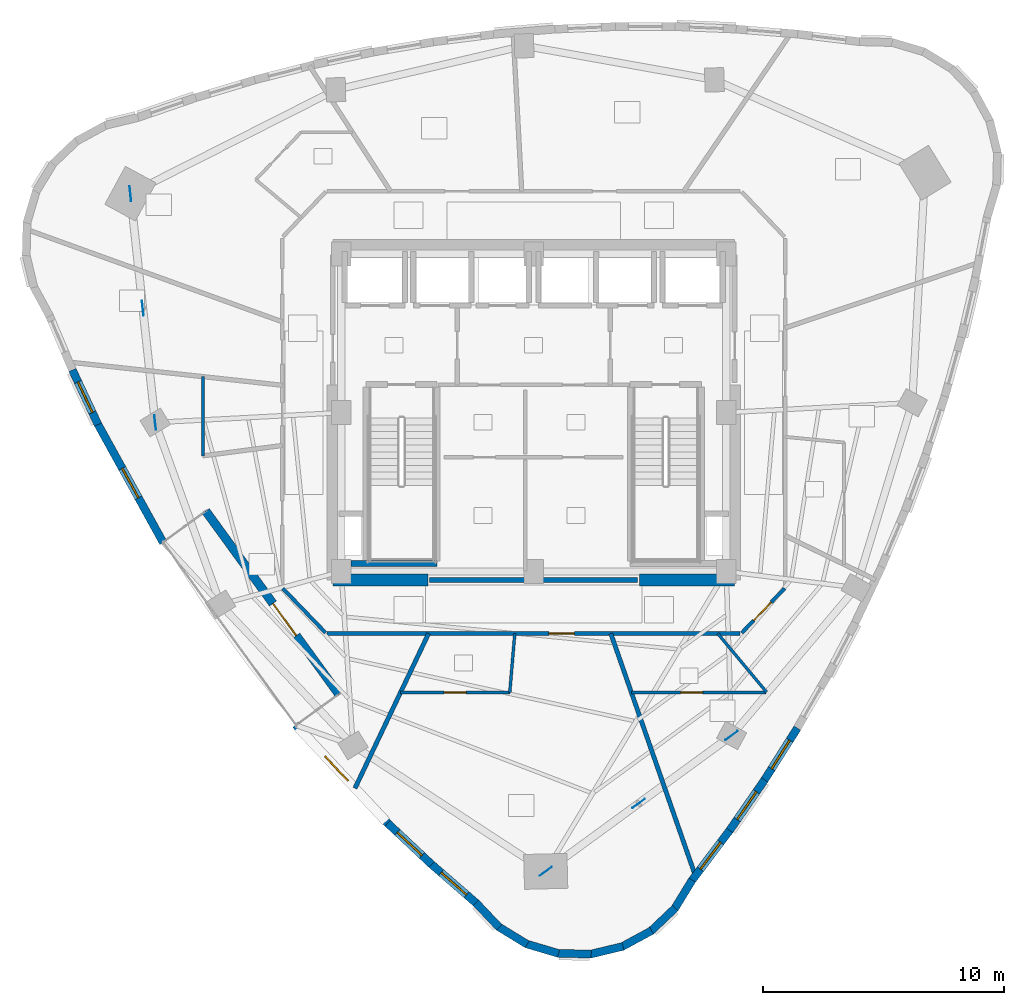
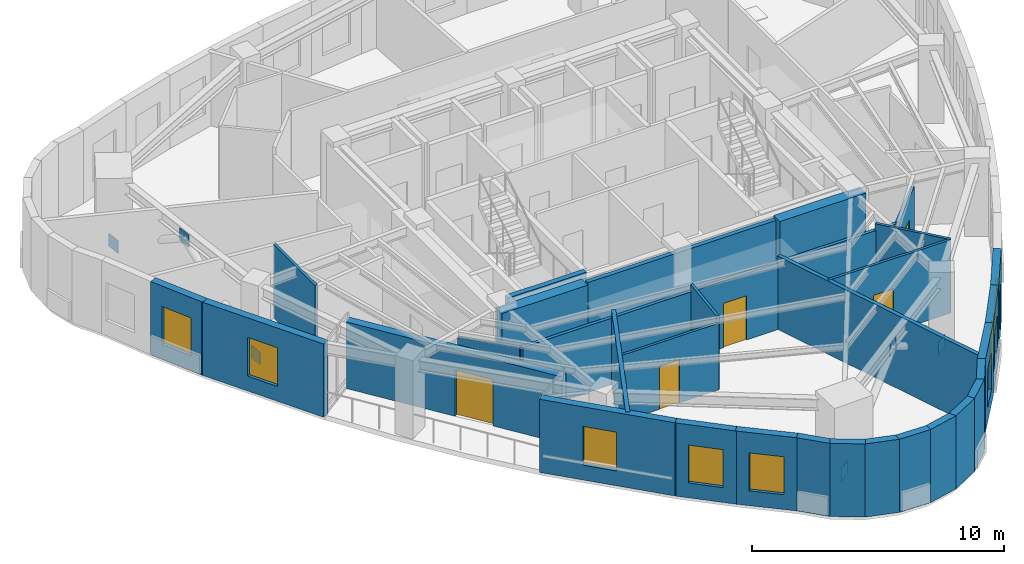
# One storey, part 6 of 13: 31 walls, 8 windows, 6 plates, 5 doors, 13 openings.
"""IFC4 building model written with IfcOpenShell, lengths in metres."""

from ifc_helpers import new_model, si_unit, direction, frame, frame_2d, origin, origin_2d, place, context, subcontext, project, spatial, rectangle, extrude, material, layer, layer_set, type_object, element, fill, save


model = new_model("IFC4")

# Units and contexts
model_context = context("Model", 3, precision=1e-05, world=origin(), true_north=direction((0.0, 1.0)))
body_context = subcontext(model_context, "Body", "Model", "MODEL_VIEW")
ifc_project = project(units=[si_unit("LENGTHUNIT", "METRE"), si_unit("AREAUNIT", "SQUARE_METRE"), si_unit("VOLUMEUNIT", "CUBIC_METRE"), si_unit("PLANEANGLEUNIT", "RADIAN"), si_unit("MASSUNIT", "GRAM", prefix="KILO")], contexts=[model_context])

# Site, building, storey
site_placement = place(None, origin())
site = spatial("IfcSite", under=ifc_project, at=site_placement, CompositionType="ELEMENT")
building_placement = place(site_placement, origin())
building = spatial("IfcBuilding", under=site, at=building_placement, Name="Ndelora Gate Hotel", CompositionType="ELEMENT")
storey_placement = place(building_placement, frame((0.0, 0.0, 235.949951171875)))
storey = spatial("IfcBuildingStorey", under=building, at=storey_placement, Name="L59", CompositionType="ELEMENT", Elevation=235.949951171875)

# Plates
ifc_material_1 = material(Name="Steel S355", Category="steel")
ifc_layer_1 = layer(ifc_material_1, 0.02001953125)
ifc_layer_set_1 = layer_set([ifc_layer_1], Name="Steel S355")
plate_type = type_object("IfcPlateType", Name="PL-NODE-VN1", PredefinedType="USERDEFINED", material=ifc_layer_set_1)
for number, where, z_axis, x_axis, name in (
    (1, (-16.759521484375, 9.099609375, -0.2900390625), (0.0, 0.0, 1.0), (-0.107652324982, 0.994188602291, 0.0), "Node gusset cap plate VN1"),
    (2, (-15.72998046875, -0.411865234375, -0.2900390625), (0.0, 0.0, 1.0), (-0.107652324982, 0.994188602291, 0.0), "Node gusset cap plate VN1"),
    (3, (-16.24462890625, 4.343994140625, 2.68994140625), (0.0, 0.0, 1.0), (-0.107652324982, 0.994188602291, 0.0), "Node gusset cap plate VN1"),
    (4, (0.499267578125, -19.064208984375, -0.2900390625), (0.0, 0.0, 1.0), (0.807475405485, 0.589901237104, 0.0), "Node gusset cap plate VN1"),
    (5, (8.223876953125, -13.419921875, -0.2900390625), (0.0, 0.0, 1.0), (0.807475405485, 0.589901237104, 0.0), "Node gusset cap plate VN1"),
    (6, (4.361572265625, -16.241943359375, 2.68994140625), (0.0, 0.0, 1.0), (0.807475405485, 0.589901237104, 0.0), "Node gusset cap plate VN1"),
):
    element("IfcPlate", number, at=place(storey_placement, frame(where, z_axis=z_axis, x_axis=x_axis)), inside=storey, type_object=plate_type, Name=name, ObjectType="GUSSET_PLATE", PredefinedType="USERDEFINED", context=body_context, shape_type="SweptSolid", body=[
        extrude(rectangle(XDim=0.6201171875, YDim=0.02001953125, at=origin_2d()), origin(), (0.0, 0.0, 1.0), 0.6201171875),
    ])

# Walls
ifc_material_2 = material(Name="Acoustic Double-Stud Gypsum Assembly", Category="gypsum")
ifc_layer_2 = layer(ifc_material_2, 0.179931640625)
ifc_layer_set_2 = layer_set([ifc_layer_2], Name="Acoustic Double-Stud Gypsum Assembly")
wall_type_1 = type_object("IfcWallType", Name="WL-ACOUST-180", PredefinedType="PARTITIONING", material=ifc_layer_set_2)
wall_1_placement = place(storey_placement, frame((-4.368408203125, -9.179931640625, 0.0), z_axis=(0.0, 0.0, 1.0), x_axis=(-0.429699353622, -0.902972018114, 0.0)))
element("IfcWall", 7, at=wall_1_placement, inside=storey, type_object=wall_type_1, Name="L59 Interior Wall IW-3", PredefinedType="PARTITIONING", context=body_context, shape_type="SweptSolid", body=[
    extrude(rectangle(XDim=7.121337890625, YDim=0.179931640625, at=frame_2d((3.560546875, 0.0))), origin(), (0.0, 0.0, 1.0), 3.550048828125),
])
wall_2_placement = place(storey_placement, frame((3.2041015625, -9.179931640625, 0.0), z_axis=(0.0, 0.0, 1.0), x_axis=(0.329550080766, -0.944138095973, 0.0)))
element("IfcWall", 8, at=wall_2_placement, inside=storey, type_object=wall_type_1, Name="L59 Interior Wall IW-3", PredefinedType="PARTITIONING", context=body_context, shape_type="SweptSolid", body=[
    extrude(rectangle(XDim=10.66796875, YDim=0.179931640625, at=frame_2d((5.333984375, 0.0))), origin(), (0.0, 0.0, 1.0), 3.550048828125),
])

# Wall, opening, window
ifc_material_3 = material(Name="Clay Brick Masonry", Category="masonry")
ifc_layer_3 = layer(ifc_material_3, 0.330078125)
ifc_layer_set_3 = layer_set([ifc_layer_3], Name="Clay Brick Masonry")
wall_type_2 = type_object("IfcWallType", Name="WL-BRICK-330", PredefinedType="SOLIDWALL", material=ifc_layer_set_3)
wall_3_placement = place(storey_placement, frame((-18.105224609375, -0.498291015625, 0.0), z_axis=(0.0, 0.0, 1.0), x_axis=(-0.425281427791, 0.905061162119, 0.0)))
wall_3 = element("IfcWall", 9, at=wall_3_placement, inside=storey, type_object=wall_type_2, Name="L59 Tower Brick Pier-and-Spandrel Wall TWR-10", PredefinedType="SOLIDWALL", context=body_context, shape_type="SweptSolid", body=[
    extrude(rectangle(XDim=2.5087890625, YDim=0.330078125, at=frame_2d((1.25439453125, 0.0))), origin(), (0.0, 0.0, 1.0), 3.550048828125),
])
opening_1_placement = place(wall_3_placement, frame((0.554443359375, 0.0, 0.719970703125)))
opening_1 = element("IfcOpeningElement", 10, at=opening_1_placement, cuts=wall_3, Name="Opening W02", PredefinedType="OPENING", context=body_context, shape_type="SweptSolid", body=[
    extrude(rectangle(XDim=1.39990234375, YDim=1.840087890625, at=frame_2d((0.699951171875, 0.919921875))), frame((0.0, 0.175048828125, 0.0), z_axis=(0.0, -1.0, 0.0), x_axis=(1.0, 0.0, 0.0)), (0.0, 0.0, 1.0), 0.35009765625),
])
ifc_material_4 = material(Name="Insulated Low-E Double Glazing in Bronze Aluminium Frame", Category="aluminium")
window_type = type_object("IfcWindowType", Name="WN-DEEP-1400", PartitioningType="SINGLE_PANEL", PredefinedType="WINDOW", material=ifc_material_4)
window_1_placement = place(opening_1_placement, origin())
window_1 = element("IfcWindow", 11, at=window_1_placement, inside=storey, type_object=window_type, Name="L59 Deep-Set Brick-Pier Window W02", OverallHeight=1.840087890625, OverallWidth=1.39990234375, PartitioningType="SINGLE_PANEL", PredefinedType="WINDOW", context=body_context, shape_type="SweptSolid", body=[
    extrude(rectangle(XDim=1.39990234375, YDim=1.840087890625, at=frame_2d((0.699951171875, 0.919921875))), frame((0.0, 0.030029296875, 0.0), z_axis=(0.0, -1.0, 0.0), x_axis=(1.0, 0.0, 0.0)), (0.0, 0.0, 1.0), 0.06005859375),
])
fill(opening_1, window_1)

wall_4_placement = place(storey_placement, frame((-15.395263671875, -5.406494140625, 0.0), z_axis=(0.0, 0.0, 1.0), x_axis=(-0.483083047652, 0.87557453656, 0.0)))
wall_4 = element("IfcWall", 12, at=wall_4_placement, inside=storey, type_object=wall_type_2, Name="L59 Tower Brick Pier-and-Spandrel Wall TWR-11", PredefinedType="SOLIDWALL", context=body_context, shape_type="SweptSolid", body=[
    extrude(rectangle(XDim=5.65673828125, YDim=0.330078125, at=frame_2d((2.828369140625, 0.0))), origin(), (0.0, 0.0, 1.0), 3.550048828125),
])
opening_2_placement = place(wall_4_placement, frame((2.12841796875, 0.0, 0.719970703125)))
opening_2 = element("IfcOpeningElement", 13, at=opening_2_placement, cuts=wall_4, Name="Opening W02", PredefinedType="OPENING", context=body_context, shape_type="SweptSolid", body=[
    extrude(rectangle(XDim=1.39990234375, YDim=1.8798828125, at=frame_2d((0.699951171875, 0.93994140625))), frame((0.0, 0.175048828125, 0.0), z_axis=(0.0, -1.0, 0.0), x_axis=(1.0, 0.0, 0.0)), (0.0, 0.0, 1.0), 0.35009765625),
])
window_2_placement = place(opening_2_placement, origin())
window_2 = element("IfcWindow", 14, at=window_2_placement, inside=storey, type_object=window_type, Name="L59 Deep-Set Brick-Pier Window W02", OverallHeight=1.8798828125, OverallWidth=1.39990234375, PartitioningType="SINGLE_PANEL", PredefinedType="WINDOW", context=body_context, shape_type="SweptSolid", body=[
    extrude(rectangle(XDim=1.39990234375, YDim=1.8798828125, at=frame_2d((0.699951171875, 0.93994140625))), frame((0.0, 0.030029296875, 0.0), z_axis=(0.0, -1.0, 0.0), x_axis=(1.0, 0.0, 0.0)), (0.0, 0.0, 1.0), 0.06005859375),
])
fill(opening_2, window_2)

wall_5_placement = place(storey_placement, frame((-6.033203125, -17.100341796875, 0.0), z_axis=(0.0, 0.0, 1.0), x_axis=(-0.683483012733, 0.72996641793, 0.0)))
wall_5 = element("IfcWall", 15, at=wall_5_placement, inside=storey, type_object=wall_type_2, Name="L59 Tower Brick Pier-and-Spandrel Wall TWR-16", PredefinedType="SOLIDWALL", context=body_context, shape_type="SweptSolid", body=[
    extrude(rectangle(XDim=5.65673828125, YDim=0.330078125, at=frame_2d((2.828369140625, 0.0))), origin(), (0.0, 0.0, 1.0), 3.550048828125),
])
opening_3_placement = place(wall_5_placement, frame((2.4599609375, 0.0, 0.719970703125)))
opening_3 = element("IfcOpeningElement", 16, at=opening_3_placement, cuts=wall_5, Name="Opening W02", PredefinedType="OPENING", context=body_context, shape_type="SweptSolid", body=[
    extrude(rectangle(XDim=1.39990234375, YDim=1.8798828125, at=frame_2d((0.699951171875, 0.93994140625))), frame((0.0, 0.175048828125, 0.0), z_axis=(0.0, -1.0, 0.0), x_axis=(1.0, 0.0, 0.0)), (0.0, 0.0, 1.0), 0.35009765625),
])
window_3_placement = place(opening_3_placement, origin())
window_3 = element("IfcWindow", 17, at=window_3_placement, inside=storey, type_object=window_type, Name="L59 Deep-Set Brick-Pier Window W02", OverallHeight=1.8798828125, OverallWidth=1.39990234375, PartitioningType="SINGLE_PANEL", PredefinedType="WINDOW", context=body_context, shape_type="SweptSolid", body=[
    extrude(rectangle(XDim=1.39990234375, YDim=1.8798828125, at=frame_2d((0.699951171875, 0.93994140625))), frame((0.0, 0.030029296875, 0.0), z_axis=(0.0, -1.0, 0.0), x_axis=(1.0, 0.0, 0.0)), (0.0, 0.0, 1.0), 0.06005859375),
])
fill(opening_3, window_3)

wall_6_placement = place(storey_placement, frame((-4.239013671875, -18.781494140625, 0.0), z_axis=(0.0, 0.0, 1.0), x_axis=(-0.729324721521, 0.684167706471, 0.0)))
wall_6 = element("IfcWall", 18, at=wall_6_placement, inside=storey, type_object=wall_type_2, Name="L59 Tower Brick Pier-and-Spandrel Wall TWR-17", PredefinedType="SOLIDWALL", context=body_context, shape_type="SweptSolid", body=[
    extrude(rectangle(XDim=2.508544921875, YDim=0.330078125, at=frame_2d((1.25439453125, 0.0))), origin(), (0.0, 0.0, 1.0), 3.550048828125),
])
opening_4_placement = place(wall_6_placement, frame((0.554443359375, 0.0, 0.719970703125)))
opening_4 = element("IfcOpeningElement", 19, at=opening_4_placement, cuts=wall_6, Name="Opening W02", PredefinedType="OPENING", context=body_context, shape_type="SweptSolid", body=[
    extrude(rectangle(XDim=1.39990234375, YDim=1.840087890625, at=frame_2d((0.699951171875, 0.919921875))), frame((0.0, 0.175048828125, 0.0), z_axis=(0.0, -1.0, 0.0), x_axis=(1.0, 0.0, 0.0)), (0.0, 0.0, 1.0), 0.35009765625),
])
window_4_placement = place(opening_4_placement, origin())
window_4 = element("IfcWindow", 20, at=window_4_placement, inside=storey, type_object=window_type, Name="L59 Deep-Set Brick-Pier Window W02", OverallHeight=1.840087890625, OverallWidth=1.39990234375, PartitioningType="SINGLE_PANEL", PredefinedType="WINDOW", context=body_context, shape_type="SweptSolid", body=[
    extrude(rectangle(XDim=1.39990234375, YDim=1.840087890625, at=frame_2d((0.699951171875, 0.919921875))), frame((0.0, 0.030029296875, 0.0), z_axis=(0.0, -1.0, 0.0), x_axis=(1.0, 0.0, 0.0)), (0.0, 0.0, 1.0), 0.06005859375),
])
fill(opening_4, window_4)

wall_7_placement = place(storey_placement, frame((-2.3662109375, -20.40576171875, 0.0), z_axis=(0.0, 0.0, 1.0), x_axis=(-0.755166427135, 0.655533116881, 0.0)))
wall_7 = element("IfcWall", 21, at=wall_7_placement, inside=storey, type_object=wall_type_2, Name="L59 Tower Brick Pier-and-Spandrel Wall TWR-18", PredefinedType="SOLIDWALL", context=body_context, shape_type="SweptSolid", body=[
    extrude(rectangle(XDim=2.52880859375, YDim=0.330078125, at=frame_2d((1.264404296875, 0.0))), origin(), (0.0, 0.0, 1.0), 3.550048828125),
])
opening_5_placement = place(wall_7_placement, frame((0.564453125, 0.0, 0.719970703125)))
opening_5 = element("IfcOpeningElement", 22, at=opening_5_placement, cuts=wall_7, Name="Opening W02", PredefinedType="OPENING", context=body_context, shape_type="SweptSolid", body=[
    extrude(rectangle(XDim=1.39990234375, YDim=1.840087890625, at=frame_2d((0.699951171875, 0.919921875))), frame((0.0, 0.175048828125, 0.0), z_axis=(0.0, -1.0, 0.0), x_axis=(1.0, 0.0, 0.0)), (0.0, 0.0, 1.0), 0.35009765625),
])
window_5_placement = place(opening_5_placement, origin())
window_5 = element("IfcWindow", 23, at=window_5_placement, inside=storey, type_object=window_type, Name="L59 Deep-Set Brick-Pier Window W02", OverallHeight=1.840087890625, OverallWidth=1.39990234375, PartitioningType="SINGLE_PANEL", PredefinedType="WINDOW", context=body_context, shape_type="SweptSolid", body=[
    extrude(rectangle(XDim=1.39990234375, YDim=1.840087890625, at=frame_2d((0.699951171875, 0.919921875))), frame((0.0, 0.030029296875, 0.0), z_axis=(0.0, -1.0, 0.0), x_axis=(1.0, 0.0, 0.0)), (0.0, 0.0, 1.0), 0.06005859375),
])
fill(opening_5, window_5)

# Walls
wall_8_placement = place(storey_placement, frame((-1.43359375, -21.39208984375, 0.0), z_axis=(0.0, 0.0, 1.0), x_axis=(-0.688302566146, 0.725423722687, 0.0)))
element("IfcWall", 24, at=wall_8_placement, inside=storey, type_object=wall_type_2, Name="L59 Tower Brick Pier-and-Spandrel Wall TWR-19", PredefinedType="SOLIDWALL", context=body_context, shape_type="SweptSolid", body=[
    extrude(rectangle(XDim=1.407470703125, YDim=0.330078125, at=frame_2d((0.70361328125, 0.0))), origin(), (0.0, 0.0, 1.0), 3.550048828125),
])
wall_9_placement = place(storey_placement, frame((-0.27197265625, -22.09619140625, 0.0), z_axis=(0.0, 0.0, 1.0), x_axis=(-0.852633662668, 0.522509174355, 0.0)))
element("IfcWall", 25, at=wall_9_placement, inside=storey, type_object=wall_type_2, Name="L59 Tower Brick Pier-and-Spandrel Wall TWR-20", PredefinedType="SOLIDWALL", context=body_context, shape_type="SweptSolid", body=[
    extrude(rectangle(XDim=1.4072265625, YDim=0.330078125, at=frame_2d((0.70361328125, 0.0))), origin(), (0.0, 0.0, 1.0), 3.550048828125),
])
for number, where, z_axis, x_axis, name in (
    (26, (1.0322265625, -22.475830078125, 0.0), (0.0, 0.0, 1.0), (-0.95884184708, 0.283940684455, 0.0), "L59 Tower Brick Pier-and-Spandrel Wall TWR-21"),
    (27, (2.390380859375, -22.5048828125, 0.0), (0.0, 0.0, 1.0), (-0.999656913907, 0.02619264168, 0.0), "L59 Tower Brick Pier-and-Spandrel Wall TWR-22"),
    (28, (3.709716796875, -22.181640625, 0.0), (0.0, 0.0, 1.0), (-0.972404618844, -0.233300787076, 0.0), "L59 Tower Brick Pier-and-Spandrel Wall TWR-23"),
):
    element("IfcWall", number, at=place(storey_placement, frame(where, z_axis=z_axis, x_axis=x_axis)), inside=storey, type_object=wall_type_2, Name=name, PredefinedType="SOLIDWALL", context=body_context, shape_type="SweptSolid", body=[
        extrude(rectangle(XDim=1.407470703125, YDim=0.330078125, at=frame_2d((0.70361328125, 0.0))), origin(), (0.0, 0.0, 1.0), 3.550048828125),
    ])
wall_10_placement = place(storey_placement, frame((4.900146484375, -21.52783203125, 0.0), z_axis=(0.0, 0.0, 1.0), x_axis=(-0.878861744685, -0.477076549129, 0.0)))
element("IfcWall", 29, at=wall_10_placement, inside=storey, type_object=wall_type_2, Name="L59 Tower Brick Pier-and-Spandrel Wall TWR-24", PredefinedType="SOLIDWALL", context=body_context, shape_type="SweptSolid", body=[
    extrude(rectangle(XDim=1.4072265625, YDim=0.330078125, at=frame_2d((0.70361328125, 0.0))), origin(), (0.0, 0.0, 1.0), 3.550048828125),
])
for number, where, z_axis, x_axis, name in (
    (30, (5.881103515625, -20.588134765625, 0.0), (0.0, 0.0, 1.0), (-0.725423722687, -0.688302566146, 0.0), "L59 Tower Brick Pier-and-Spandrel Wall TWR-25"),
    (31, (6.585205078125, -19.426513671875, 0.0), (0.0, 0.0, 1.0), (-0.522431898615, -0.852681013809, 0.0), "L59 Tower Brick Pier-and-Spandrel Wall TWR-26"),
):
    element("IfcWall", number, at=place(storey_placement, frame(where, z_axis=z_axis, x_axis=x_axis)), inside=storey, type_object=wall_type_2, Name=name, PredefinedType="SOLIDWALL", context=body_context, shape_type="SweptSolid", body=[
        extrude(rectangle(XDim=1.407470703125, YDim=0.330078125, at=frame_2d((0.70361328125, 0.0))), origin(), (0.0, 0.0, 1.0), 3.550048828125),
    ])

# Wall, opening, window
wall_11_placement = place(storey_placement, frame((8.140625, -17.365966796875, 0.0), z_axis=(0.0, 0.0, 1.0), x_axis=(-0.601735324528, -0.798695561034, 0.0)))
wall_11 = element("IfcWall", 32, at=wall_11_placement, inside=storey, type_object=wall_type_2, Name="L59 Tower Brick Pier-and-Spandrel Wall TWR-27", PredefinedType="SOLIDWALL", context=body_context, shape_type="SweptSolid", body=[
    extrude(rectangle(XDim=2.631591796875, YDim=0.330078125, at=frame_2d((1.31591796875, 0.0))), origin(), (0.0, 0.0, 1.0), 3.550048828125),
])
opening_6_placement = place(wall_11_placement, frame((0.61572265625, 0.0, 0.719970703125)))
opening_6 = element("IfcOpeningElement", 33, at=opening_6_placement, cuts=wall_11, Name="Opening W02", PredefinedType="OPENING", context=body_context, shape_type="SweptSolid", body=[
    extrude(rectangle(XDim=1.39990234375, YDim=1.840087890625, at=frame_2d((0.699951171875, 0.919921875))), frame((0.0, 0.175048828125, 0.0), z_axis=(0.0, -1.0, 0.0), x_axis=(1.0, 0.0, 0.0)), (0.0, 0.0, 1.0), 0.35009765625),
])
window_6_placement = place(opening_6_placement, origin())
window_6 = element("IfcWindow", 34, at=window_6_placement, inside=storey, type_object=window_type, Name="L59 Deep-Set Brick-Pier Window W02", OverallHeight=1.840087890625, OverallWidth=1.39990234375, PartitioningType="SINGLE_PANEL", PredefinedType="WINDOW", context=body_context, shape_type="SweptSolid", body=[
    extrude(rectangle(XDim=1.39990234375, YDim=1.840087890625, at=frame_2d((0.699951171875, 0.919921875))), frame((0.0, 0.030029296875, 0.0), z_axis=(0.0, -1.0, 0.0), x_axis=(1.0, 0.0, 0.0)), (0.0, 0.0, 1.0), 0.06005859375),
])
fill(opening_6, window_6)

wall_12_placement = place(storey_placement, frame((9.596923828125, -15.260498046875, 0.0), z_axis=(0.0, 0.0, 1.0), x_axis=(-0.569122418308, -0.822252803571, 0.0)))
wall_12 = element("IfcWall", 35, at=wall_12_placement, inside=storey, type_object=wall_type_2, Name="L59 Tower Brick Pier-and-Spandrel Wall TWR-28", PredefinedType="SOLIDWALL", context=body_context, shape_type="SweptSolid", body=[
    extrude(rectangle(XDim=2.60986328125, YDim=0.330078125, at=frame_2d((1.304931640625, 0.0))), origin(), (0.0, 0.0, 1.0), 3.550048828125),
])
opening_7_placement = place(wall_12_placement, frame((0.60498046875, 0.0, 0.719970703125)))
opening_7 = element("IfcOpeningElement", 36, at=opening_7_placement, cuts=wall_12, Name="Opening W02", PredefinedType="OPENING", context=body_context, shape_type="SweptSolid", body=[
    extrude(rectangle(XDim=1.39990234375, YDim=1.840087890625, at=frame_2d((0.699951171875, 0.919921875))), frame((0.0, 0.175048828125, 0.0), z_axis=(0.0, -1.0, 0.0), x_axis=(1.0, 0.0, 0.0)), (0.0, 0.0, 1.0), 0.35009765625),
])
window_7_placement = place(opening_7_placement, origin())
window_7 = element("IfcWindow", 37, at=window_7_placement, inside=storey, type_object=window_type, Name="L59 Deep-Set Brick-Pier Window W02", OverallHeight=1.840087890625, OverallWidth=1.39990234375, PartitioningType="SINGLE_PANEL", PredefinedType="WINDOW", context=body_context, shape_type="SweptSolid", body=[
    extrude(rectangle(XDim=1.39990234375, YDim=1.840087890625, at=frame_2d((0.699951171875, 0.919921875))), frame((0.0, 0.030029296875, 0.0), z_axis=(0.0, -1.0, 0.0), x_axis=(1.0, 0.0, 0.0)), (0.0, 0.0, 1.0), 0.06005859375),
])
fill(opening_7, window_7)

wall_13_placement = place(storey_placement, frame((10.956787109375, -13.112060546875, 0.0), z_axis=(0.0, 0.0, 1.0), x_axis=(-0.535186500918, -0.844733928072, 0.0)))
wall_13 = element("IfcWall", 38, at=wall_13_placement, inside=storey, type_object=wall_type_2, Name="L59 Tower Brick Pier-and-Spandrel Wall TWR-29", PredefinedType="SOLIDWALL", context=body_context, shape_type="SweptSolid", body=[
    extrude(rectangle(XDim=2.592529296875, YDim=0.330078125, at=frame_2d((1.29638671875, 0.0))), origin(), (0.0, 0.0, 1.0), 3.550048828125),
])
opening_8_placement = place(wall_13_placement, frame((0.59619140625, 0.0, 0.719970703125)))
opening_8 = element("IfcOpeningElement", 39, at=opening_8_placement, cuts=wall_13, Name="Opening W02", PredefinedType="OPENING", context=body_context, shape_type="SweptSolid", body=[
    extrude(rectangle(XDim=1.39990234375, YDim=1.840087890625, at=frame_2d((0.699951171875, 0.919921875))), frame((0.0, 0.175048828125, 0.0), z_axis=(0.0, -1.0, 0.0), x_axis=(1.0, 0.0, 0.0)), (0.0, 0.0, 1.0), 0.35009765625),
])
window_8_placement = place(opening_8_placement, origin())
window_8 = element("IfcWindow", 40, at=window_8_placement, inside=storey, type_object=window_type, Name="L59 Deep-Set Brick-Pier Window W02", OverallHeight=1.840087890625, OverallWidth=1.39990234375, PartitioningType="SINGLE_PANEL", PredefinedType="WINDOW", context=body_context, shape_type="SweptSolid", body=[
    extrude(rectangle(XDim=1.39990234375, YDim=1.840087890625, at=frame_2d((0.699951171875, 0.919921875))), frame((0.0, 0.030029296875, 0.0), z_axis=(0.0, -1.0, 0.0), x_axis=(1.0, 0.0, 0.0)), (0.0, 0.0, 1.0), 0.06005859375),
])
fill(opening_8, window_8)

# Wall, opening, door
ifc_layer_4 = layer(ifc_material_3, 0.360107421875)
ifc_layer_set_4 = layer_set([ifc_layer_4], Name="Clay Brick Masonry")
wall_type_3 = type_object("IfcWallType", Name="WL-BRICK-360", PredefinedType="SOLIDWALL", material=ifc_layer_set_4)
wall_14_placement = place(storey_placement, frame((-8.102294921875, -11.6962890625, 0.0), z_axis=(0.0, 0.0, 1.0), x_axis=(-0.587801006747, 0.809005547859, 0.0)))
wall_14 = element("IfcWall", 41, at=wall_14_placement, inside=storey, type_object=wall_type_3, Name="L59 Sky-Garden Loggia Rear Brick Wall", PredefinedType="SOLIDWALL", context=body_context, shape_type="SweptSolid", body=[
    extrude(rectangle(XDim=9.400146484375, YDim=0.360107421875, at=frame_2d((4.7001953125, 0.0))), origin(), (0.0, 0.0, 1.0), 3.22998046875),
])
opening_9_placement = place(wall_14_placement, frame((3.0, 0.0, 0.0)))
opening_9 = element("IfcOpeningElement", 42, at=opening_9_placement, cuts=wall_14, Name="Opening TD1", PredefinedType="OPENING", context=body_context, shape_type="SweptSolid", body=[
    extrude(rectangle(XDim=1.64990234375, YDim=2.25, at=frame_2d((0.824951171875, 1.125))), frame((0.0, 0.18994140625, 0.0), z_axis=(0.0, -1.0, 0.0), x_axis=(1.0, 0.0, 0.0)), (0.0, 0.0, 1.0), 0.380126953125),
])
ifc_material_5 = material(Name="Architectural Bronze Glazed Door", Category="metal")
door_type_1 = type_object("IfcDoorType", Name="DR-TER-1650", OperationType="DOUBLE_DOOR_SINGLE_SWING", PredefinedType="DOOR", material=ifc_material_5)
door_1_placement = place(opening_9_placement, origin())
door_1 = element("IfcDoor", 43, at=door_1_placement, inside=storey, type_object=door_type_1, Name="L59 Sky-Garden Terrace Double Door TD1", OperationType="DOUBLE_DOOR_SINGLE_SWING", OverallHeight=2.25, OverallWidth=1.64990234375, PredefinedType="DOOR", context=body_context, shape_type="SweptSolid", body=[
    extrude(rectangle(XDim=1.64990234375, YDim=2.25, at=frame_2d((0.824951171875, 1.125))), frame((0.0, 0.02490234375, 0.0), z_axis=(0.0, -1.0, 0.0), x_axis=(1.0, 0.0, 0.0)), (0.0, 0.0, 1.0), 0.050048828125),
])
fill(opening_9, door_1)

# Walls
ifc_material_6 = material(Name="Concrete C50/60", Category="concrete")
ifc_layer_5 = layer(ifc_material_6, 0.5)
ifc_layer_set_5 = layer_set([ifc_layer_5], Name="Concrete C50/60")
wall_type_4 = type_object("IfcWallType", Name="WL-CORE-500", PredefinedType="SHEAR", material=ifc_layer_set_5)
for number, where, z_axis, x_axis, name in (
    (44, (-8.35009765625, -6.949951171875, 0.0), (0.0, 0.0, 1.0), (1.0, 0.0, 0.0), "L59 Core Shear Wall S-W"),
    (45, (4.39990234375, -6.949951171875, 0.0), (0.0, 0.0, 1.0), (1.0, 0.0, 0.0), "L59 Core Shear Wall S-E"),
):
    element("IfcWall", number, at=place(storey_placement, frame(where, z_axis=z_axis, x_axis=x_axis)), inside=storey, type_object=wall_type_4, Name=name, PredefinedType="SHEAR", context=body_context, shape_type="SweptSolid", body=[
        extrude(rectangle(XDim=3.9501953125, YDim=0.5, at=frame_2d((1.97509765625, 0.0))), origin(), (0.0, 0.0, 1.0), 3.550048828125),
    ])
ifc_material_7 = material(Name="Concrete C40/50", Category="concrete")
ifc_layer_6 = layer(ifc_material_7, 0.199951171875)
ifc_layer_set_6 = layer_set([ifc_layer_6], Name="Concrete C40/50")
wall_type_5 = type_object("IfcWallType", Name="WL-FIRE-200", PredefinedType="PARTITIONING", material=ifc_layer_set_6)
wall_15_placement = place(storey_placement, frame((-4.320068359375, -6.949951171875, 0.0), z_axis=(0.0, 0.0, 1.0), x_axis=(1.0, 0.0, 0.0)))
element("IfcWall", 46, at=wall_15_placement, inside=storey, type_object=wall_type_5, Name="L59 Interior Wall IW-2", PredefinedType="PARTITIONING", context=body_context, shape_type="SweptSolid", body=[
    extrude(rectangle(XDim=8.64013671875, YDim=0.199951171875, at=frame_2d((4.320068359375, 0.0))), origin(), (0.0, 0.0, 1.0), 3.550048828125),
])

# Wall, opening, door
ifc_material_8 = material(Name="Fire-Rated Gypsum Stud Partition", Category="gypsum")
ifc_layer_7 = layer(ifc_material_8, 0.14990234375)
ifc_layer_set_7 = layer_set([ifc_layer_7], Name="Fire-Rated Gypsum Stud Partition")
wall_type_6 = type_object("IfcWallType", Name="WL-PART-150", PredefinedType="PARTITIONING", material=ifc_layer_set_7)
wall_16_placement = place(storey_placement, frame((8.580078125, -9.179931640625, 0.0), z_axis=(0.0, 0.0, 1.0), x_axis=(-1.0, 0.0, 0.0)))
wall_16 = element("IfcWall", 47, at=wall_16_placement, inside=storey, type_object=wall_type_6, Name="L59 Interior Wall IW-5", PredefinedType="PARTITIONING", context=body_context, shape_type="SweptSolid", body=[
    extrude(rectangle(XDim=17.16015625, YDim=0.14990234375, at=frame_2d((8.580078125, 0.0))), origin(), (0.0, 0.0, 1.0), 3.22998046875),
])
opening_10_placement = place(wall_16_placement, frame((6.8857421875, 0.0, 0.0)))
opening_10 = element("IfcOpeningElement", 48, at=opening_10_placement, cuts=wall_16, Name="Opening D07", PredefinedType="OPENING", context=body_context, shape_type="SweptSolid", body=[
    extrude(rectangle(XDim=1.06005859375, YDim=2.14990234375, at=frame_2d((0.530029296875, 1.074951171875))), frame((0.0, 0.0849609375, 0.0), z_axis=(0.0, -1.0, 0.0), x_axis=(1.0, 0.0, 0.0)), (0.0, 0.0, 1.0), 0.169921875),
])
ifc_material_9 = material(Name="Diplomatic Suite Acoustic Entrance Door", Category="wood")
door_type_2 = type_object("IfcDoorType", Name="DR-SUITE-1060", OperationType="SINGLE_SWING_LEFT", PredefinedType="DOOR", material=ifc_material_9)
door_2_placement = place(opening_10_placement, origin())
door_2 = element("IfcDoor", 49, at=door_2_placement, inside=storey, type_object=door_type_2, Name="L59 Highland Executive Two-Bay Suite 6201 Entrance Door", OperationType="SINGLE_SWING_LEFT", OverallHeight=2.14990234375, OverallWidth=1.06005859375, PredefinedType="DOOR", context=body_context, shape_type="SweptSolid", body=[
    extrude(rectangle(XDim=1.06005859375, YDim=2.14990234375, at=frame_2d((0.530029296875, 1.074951171875))), frame((0.0, 0.02490234375, 0.0), z_axis=(0.0, -1.0, 0.0), x_axis=(1.0, 0.0, 0.0)), (0.0, 0.0, 1.0), 0.050048828125),
])
fill(opening_10, door_2)

wall_17_placement = place(storey_placement, frame((10.42236328125, -7.308837890625, 0.0), z_axis=(0.0, 0.0, 1.0), x_axis=(-0.693764562202, -0.720201869085, 0.0)))
wall_17 = element("IfcWall", 50, at=wall_17_placement, inside=storey, type_object=wall_type_6, Name="L59 Interior Wall IW-5", PredefinedType="PARTITIONING", context=body_context, shape_type="SweptSolid", body=[
    extrude(rectangle(XDim=2.55810546875, YDim=0.14990234375, at=frame_2d((1.279052734375, 0.0))), origin(), (0.0, 0.0, 1.0), 3.22998046875),
])
opening_11_placement = place(wall_17_placement, frame((0.7890625, 0.0, 0.0)))
opening_11 = element("IfcOpeningElement", 51, at=opening_11_placement, cuts=wall_17, Name="Opening D07", PredefinedType="OPENING", context=body_context, shape_type="SweptSolid", body=[
    extrude(rectangle(XDim=1.06005859375, YDim=2.14990234375, at=frame_2d((0.530029296875, 1.074951171875))), frame((0.0, 0.0849609375, 0.0), z_axis=(0.0, -1.0, 0.0), x_axis=(1.0, 0.0, 0.0)), (0.0, 0.0, 1.0), 0.169921875),
])
door_3_placement = place(opening_11_placement, origin())
door_3 = element("IfcDoor", 52, at=door_3_placement, inside=storey, type_object=door_type_2, Name="L59 Corner Panoramic Executive Suite 6202 Entrance Door", OperationType="SINGLE_SWING_LEFT", OverallHeight=2.14990234375, OverallWidth=1.06005859375, PredefinedType="DOOR", context=body_context, shape_type="SweptSolid", body=[
    extrude(rectangle(XDim=1.06005859375, YDim=2.14990234375, at=frame_2d((0.530029296875, 1.074951171875))), frame((0.0, 0.02490234375, 0.0), z_axis=(0.0, -1.0, 0.0), x_axis=(1.0, 0.0, 0.0)), (0.0, 0.0, 1.0), 0.050048828125),
])
fill(opening_11, door_3)

# Walls
wall_18_placement = place(storey_placement, frame((-8.647705078125, -9.151123046875, 0.0), z_axis=(0.0, 0.0, 1.0), x_axis=(-0.693764562202, 0.720201869085, 0.0)))
element("IfcWall", 53, at=wall_18_placement, inside=storey, type_object=wall_type_6, Name="L59 Interior Wall IW-5", PredefinedType="PARTITIONING", context=body_context, shape_type="SweptSolid", body=[
    extrude(rectangle(XDim=2.55810546875, YDim=0.14990234375, at=frame_2d((1.279052734375, 0.0))), origin(), (0.0, 0.0, 1.0), 3.22998046875),
])
ifc_layer_8 = layer(ifc_material_6, 0.239990234375)
ifc_layer_set_8 = layer_set([ifc_layer_8], Name="Concrete C50/60")
wall_type_7 = type_object("IfcWallType", Name="WL-STAIR-240", PredefinedType="SHEAR", material=ifc_layer_set_8)
wall_19_placement = place(storey_placement, frame((-7.60009765625, -6.27001953125, 0.0), z_axis=(0.0, 0.0, 1.0), x_axis=(1.0, 0.0, 0.0)))
element("IfcWall", 54, at=wall_19_placement, inside=storey, type_object=wall_type_7, Name="L59 Stair Core Shear Wall SW-ST", PredefinedType="SHEAR", context=body_context, shape_type="SweptSolid", body=[
    extrude(rectangle(XDim=3.590087890625, YDim=0.239990234375, at=frame_2d((1.794921875, 0.0))), origin(), (0.0, 0.0, 1.0), 3.550048828125),
])
ifc_material_10 = material(Name="Moisture-Resistant Bathroom Tile Partition", Category="gypsum")
ifc_layer_9 = layer(ifc_material_10, 0.1201171875)
ifc_layer_set_9 = layer_set([ifc_layer_9], Name="Moisture-Resistant Bathroom Tile Partition")
wall_type_8 = type_object("IfcWallType", Name="WL-WET-120", PredefinedType="PARTITIONING", material=ifc_layer_set_9)
wall_20_placement = place(storey_placement, frame((-0.78564453125, -9.179931640625, 0.0), z_axis=(0.0, 0.0, 1.0), x_axis=(-0.085189929116, -0.996364730396, 0.0)))
element("IfcWall", 55, at=wall_20_placement, inside=storey, type_object=wall_type_8, Name="L59 Interior Wall IW-7", PredefinedType="PARTITIONING", context=body_context, shape_type="SweptSolid", body=[
    extrude(rectangle(XDim=2.458984375, YDim=0.1201171875, at=frame_2d((1.2294921875, 0.0))), origin(), (0.0, 0.0, 1.0), 3.550048828125),
])

# Wall, opening, door
wall_21_placement = place(storey_placement, frame((-0.9951171875, -11.6298828125, 0.0), z_axis=(0.0, 0.0, 1.0), x_axis=(-1.0, 0.0, 0.0)))
wall_21 = element("IfcWall", 56, at=wall_21_placement, inside=storey, type_object=wall_type_8, Name="L59 Interior Wall IW-7", PredefinedType="PARTITIONING", context=body_context, shape_type="SweptSolid", body=[
    extrude(rectangle(XDim=4.5390625, YDim=0.1201171875, at=frame_2d((2.26953125, 0.0))), origin(), (0.0, 0.0, 1.0), 3.22998046875),
])
opening_12_placement = place(wall_21_placement, frame((1.8095703125, 0.0, 0.0)))
opening_12 = element("IfcOpeningElement", 57, at=opening_12_placement, cuts=wall_21, Name="Opening D03", PredefinedType="OPENING", context=body_context, shape_type="SweptSolid", body=[
    extrude(rectangle(XDim=0.919921875, YDim=2.10009765625, at=frame_2d((0.4599609375, 1.050048828125))), frame((0.0, 0.070068359375, 0.0), z_axis=(0.0, -1.0, 0.0), x_axis=(1.0, 0.0, 0.0)), (0.0, 0.0, 1.0), 0.14013671875),
])
ifc_material_11 = material(Name="Moisture-Resistant Hardwood En-Suite Door", Category="wood")
door_type_3 = type_object("IfcDoorType", Name="DR-BATH-920", OperationType="SINGLE_SWING_LEFT", PredefinedType="DOOR", material=ifc_material_11)
door_4_placement = place(opening_12_placement, origin())
door_4 = element("IfcDoor", 58, at=door_4_placement, inside=storey, type_object=door_type_3, Name="L59 En-suite Bathroom 6201 Door", OperationType="SINGLE_SWING_RIGHT", OverallHeight=2.10009765625, OverallWidth=0.919921875, PredefinedType="DOOR", context=body_context, shape_type="SweptSolid", body=[
    extrude(rectangle(XDim=0.919921875, YDim=2.10009765625, at=frame_2d((0.4599609375, 1.050048828125))), frame((0.0, 0.02490234375, 0.0), z_axis=(0.0, -1.0, 0.0), x_axis=(1.0, 0.0, 0.0)), (0.0, 0.0, 1.0), 0.050048828125),
])
fill(opening_12, door_4)

# Wall
wall_22_placement = place(storey_placement, frame((9.676513671875, -11.61474609375, 0.0), z_axis=(0.0, 0.0, 1.0), x_axis=(-0.640055568221, 0.768328620832, 0.0)))
element("IfcWall", 59, at=wall_22_placement, inside=storey, type_object=wall_type_8, Name="L59 Interior Wall IW-7", PredefinedType="PARTITIONING", context=body_context, shape_type="SweptSolid", body=[
    extrude(rectangle(XDim=3.1689453125, YDim=0.1201171875, at=frame_2d((1.58447265625, 0.0))), origin(), (0.0, 0.0, 1.0), 3.550048828125),
])

# Wall, opening, door
wall_23_placement = place(storey_placement, frame((9.661865234375, -11.6298828125, 0.0), z_axis=(0.0, 0.0, 1.0), x_axis=(-1.0, 0.0, 0.0)))
wall_23 = element("IfcWall", 60, at=wall_23_placement, inside=storey, type_object=wall_type_8, Name="L59 Interior Wall IW-7", PredefinedType="PARTITIONING", context=body_context, shape_type="SweptSolid", body=[
    extrude(rectangle(XDim=5.6025390625, YDim=0.1201171875, at=frame_2d((2.80126953125, 0.0))), origin(), (0.0, 0.0, 1.0), 3.550048828125),
])
opening_13_placement = place(wall_23_placement, frame((2.639892578125, 0.0, 0.0)))
opening_13 = element("IfcOpeningElement", 61, at=opening_13_placement, cuts=wall_23, Name="Opening D03", PredefinedType="OPENING", context=body_context, shape_type="SweptSolid", body=[
    extrude(rectangle(XDim=0.919921875, YDim=2.10009765625, at=frame_2d((0.4599609375, 1.050048828125))), frame((0.0, 0.070068359375, 0.0), z_axis=(0.0, -1.0, 0.0), x_axis=(1.0, 0.0, 0.0)), (0.0, 0.0, 1.0), 0.14013671875),
])
door_5_placement = place(opening_13_placement, origin())
door_5 = element("IfcDoor", 62, at=door_5_placement, inside=storey, type_object=door_type_3, Name="L59 En-suite Bathroom 6202 Door", OperationType="SINGLE_SWING_LEFT", OverallHeight=2.10009765625, OverallWidth=0.919921875, PredefinedType="DOOR", context=body_context, shape_type="SweptSolid", body=[
    extrude(rectangle(XDim=0.919921875, YDim=2.10009765625, at=frame_2d((0.4599609375, 1.050048828125))), frame((0.0, 0.02490234375, 0.0), z_axis=(0.0, -1.0, 0.0), x_axis=(1.0, 0.0, 0.0)), (0.0, 0.0, 1.0), 0.050048828125),
])
fill(opening_13, door_5)

# Wall
ifc_material_12 = material(Name="Moisture-Resistant Fire-Rated Tile Partition", Category="gypsum")
ifc_layer_10 = layer(ifc_material_12, 0.1298828125)
ifc_layer_set_10 = layer_set([ifc_layer_10], Name="Moisture-Resistant Fire-Rated Tile Partition")
wall_type_9 = type_object("IfcWallType", Name="WL-WET-RATED", PredefinedType="PARTITIONING", material=ifc_layer_set_10)
wall_24_placement = place(storey_placement, frame((-13.75, -1.797607421875, 0.0), z_axis=(0.0, 0.0, 1.0), x_axis=(0.0, 1.0, 0.0)))
element("IfcWall", 63, at=wall_24_placement, inside=storey, type_object=wall_type_9, Name="L59 Interior Wall IW-6", PredefinedType="PARTITIONING", context=body_context, shape_type="SweptSolid", body=[
    extrude(rectangle(XDim=3.29296875, YDim=0.1298828125, at=frame_2d((1.646484375, 0.0))), origin(), (0.0, 0.0, 1.0), 3.550048828125),
])

save(model, "model.ifc")
